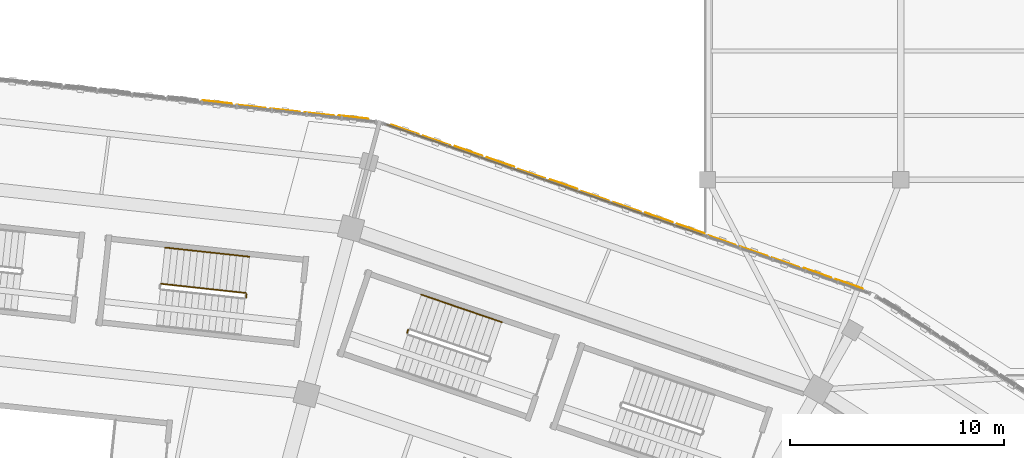
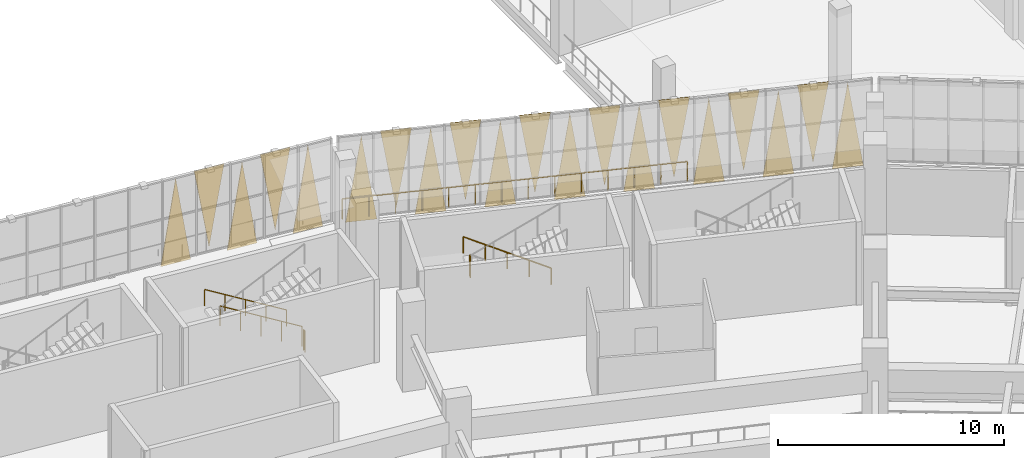
# One storey, part 175 of 179: 20 coverings, 6 railings.
"""IFC4 building model written with IfcOpenShell, lengths in metres."""

from ifc_helpers import new_model, si_unit, direction, frame, origin, origin_2d, place, context, subcontext, project, spatial, polyline, circle, outline, extrude, material, layer, layer_set, type_object, element, save


model = new_model("IFC4")

# Units and contexts
model_context = context("Model", 3, precision=1e-05, world=origin(), true_north=direction((0.0, 1.0)))
body_context = subcontext(model_context, "Body", "Model", "MODEL_VIEW")
ifc_project = project(units=[si_unit("LENGTHUNIT", "METRE"), si_unit("AREAUNIT", "SQUARE_METRE"), si_unit("VOLUMEUNIT", "CUBIC_METRE"), si_unit("PLANEANGLEUNIT", "RADIAN"), si_unit("MASSUNIT", "GRAM", prefix="KILO")], contexts=[model_context])

# Site, building, storey
site_placement = place(None, origin())
site = spatial("IfcSite", under=ifc_project, at=site_placement, CompositionType="ELEMENT")
building_placement = place(site_placement, origin())
building = spatial("IfcBuilding", under=site, at=building_placement, Name="Zevraka Park Crest Stadium", CompositionType="ELEMENT")
storey_placement = place(building_placement, frame((0.0, 0.0, 10.199951171875)))
storey = spatial("IfcBuildingStorey", under=building, at=storey_placement, Name="L02", CompositionType="ELEMENT", Elevation=10.199951171875)

# Coverings
ifc_material_1 = material(Name="Architectural golden-bronze perforated aluminium", Category="aluminium")
ifc_layer = layer(ifc_material_1, 0.034912109375)
ifc_layer_set = layer_set([ifc_layer], Name="Architectural golden-bronze perforated aluminium")
covering_type = type_object("IfcCoveringType", Name="CLD01", PredefinedType="CLADDING", material=ifc_layer_set)
covering_1_placement = place(storey_placement, frame((159.25, 161.889892578125, -0.239990234375), z_axis=(-0.329321763981, -0.944217751341, 0.000117565237), x_axis=(-0.944217757866, 0.329321766257, 0.0)))
element("IfcCovering", 1, at=covering_1_placement, inside=storey, type_object=covering_type, Name="Triangular Golden-Bronze Perforated Cladding L02-04-1", PredefinedType="CLADDING", context=body_context, shape_type="SweptSolid", body=[
    extrude(outline(polyline([(0.0, 0.0), (1.4063290467827976, 6.776263578034403e-21), (0.7034807864027698, -4.560058625263619), (0.0, 0.0)])), origin(), (0.0, 0.0, -1.0), 0.034912109375),
])
covering_2_placement = place(storey_placement, frame((156.443115234375, 162.8701171875, 4.47998046875), z_axis=(-0.329940648786, -0.944001677406, 3.6504737e-05), x_axis=(0.944001678035, -0.329940649006, 0.0)))
element("IfcCovering", 2, at=covering_2_placement, inside=storey, type_object=covering_type, Name="Triangular Golden-Bronze Perforated Cladding L02-04-2", PredefinedType="CLADDING", context=body_context, shape_type="SweptSolid", body=[
    extrude(outline(polyline([(0.0, 0.0), (1.4066509522935817, 3.3881317890172014e-21), (0.7032505175250832, -4.260009768463436), (0.0, 0.0)])), origin(), (0.0, 0.0, -1.0), 0.034912109375),
])
covering_3_placement = place(storey_placement, frame((156.2919921875, 162.922119140625, -0.239990234375), z_axis=(0.329785968147, 0.944055726711, 8.828193e-06), x_axis=(-0.944055726748, 0.32978596816, 0.0)))
element("IfcCovering", 3, at=covering_3_placement, inside=storey, type_object=covering_type, Name="Triangular Golden-Bronze Perforated Cladding L02-04-3", PredefinedType="CLADDING", context=body_context, shape_type="SweptSolid", body=[
    extrude(outline(polyline([(0.0, 0.0), (1.4065704192587192, 0.0), (0.7034004508069411, 4.560058593927699), (0.0, 0.0)])), origin(), (0.0, 0.0, -1.0), 0.034912109375),
])
covering_4_placement = place(storey_placement, frame((153.485107421875, 163.902099609375, 4.47998046875), z_axis=(0.32932176541, 0.944217755437, 7.1732807e-05), x_axis=(0.944217757866, -0.329321766257, 0.0)))
element("IfcCovering", 4, at=covering_4_placement, inside=storey, type_object=covering_type, Name="Triangular Golden-Bronze Perforated Cladding L02-04-4", PredefinedType="CLADDING", context=body_context, shape_type="SweptSolid", body=[
    extrude(outline(polyline([(0.0, 0.0), (1.4063290467827976, 0.0), (0.7029286612018679, 4.260009776585144), (0.0, 0.0)])), origin(), (0.0, 0.0, -1.0), 0.034912109375),
])
covering_5_placement = place(storey_placement, frame((153.333984375, 163.955078125, -0.239990234375), z_axis=(0.329785968147, 0.944055726711, 8.828193e-06), x_axis=(-0.944055726748, 0.32978596816, 0.0)))
element("IfcCovering", 5, at=covering_5_placement, inside=storey, type_object=covering_type, Name="Triangular Golden-Bronze Perforated Cladding L02-04-5", PredefinedType="CLADDING", context=body_context, shape_type="SweptSolid", body=[
    extrude(outline(polyline([(0.0, 0.0), (1.4065704192587192, 0.0), (0.7034004508069411, 4.560058593927699), (0.0, 0.0)])), origin(), (0.0, 0.0, -1.0), 0.034912109375),
])
covering_6_placement = place(storey_placement, frame((150.527099609375, 164.93505859375, 4.47998046875), z_axis=(-0.329940648786, -0.944001677406, 3.6504737e-05), x_axis=(0.944001678035, -0.329940649006, 0.0)))
element("IfcCovering", 6, at=covering_6_placement, inside=storey, type_object=covering_type, Name="Triangular Golden-Bronze Perforated Cladding L02-04-6", PredefinedType="CLADDING", context=body_context, shape_type="SweptSolid", body=[
    extrude(outline(polyline([(0.0, 0.0), (1.4066509522935817, 3.3881317890172014e-21), (0.7032505175250832, -4.260009768463436), (0.0, 0.0)])), origin(), (0.0, 0.0, -1.0), 0.034912109375),
])
covering_7_placement = place(storey_placement, frame((150.3759765625, 164.988037109375, -0.239990234375), z_axis=(-0.329166977788, -0.944271725837, 9.2298959e-05), x_axis=(-0.944271729859, 0.32916697919, 0.0)))
element("IfcCovering", 7, at=covering_7_placement, inside=storey, type_object=covering_type, Name="Triangular Golden-Bronze Perforated Cladding L02-04-7", PredefinedType="CLADDING", context=body_context, shape_type="SweptSolid", body=[
    extrude(outline(polyline([(0.0, 0.0), (1.4062486648553232, 0.0), (0.7034003260368679, -4.560058613173793), (0.0, 0.0)])), origin(), (0.0, 0.0, -1.0), 0.034912109375),
])
covering_8_placement = place(storey_placement, frame((147.570068359375, 165.968017578125, 4.47998046875), z_axis=(0.330157014789, 0.943926025975, 5.5430027e-05), x_axis=(0.943926027425, -0.330157015296, 0.0)))
element("IfcCovering", 8, at=covering_8_placement, inside=storey, type_object=covering_type, Name="Triangular Golden-Bronze Perforated Cladding L02-04-8", PredefinedType="CLADDING", context=body_context, shape_type="SweptSolid", body=[
    extrude(outline(polyline([(0.0, 0.0), (1.405729112581542, 0.0), (0.7031699299561738, 4.260009772169415), (0.0, 0.0)])), origin(), (0.0, 0.0, -1.0), 0.034912109375),
])
covering_9_placement = place(storey_placement, frame((147.4189453125, 166.02099609375, -0.239990234375), z_axis=(0.329166977201, 0.944271724154, 0.000109922205), x_axis=(-0.944271729859, 0.32916697919, 0.0)))
element("IfcCovering", 9, at=covering_9_placement, inside=storey, type_object=covering_type, Name="Triangular Golden-Bronze Perforated Cladding L02-04-9", PredefinedType="CLADDING", context=body_context, shape_type="SweptSolid", body=[
    extrude(outline(polyline([(0.0, 0.0), (1.4062486648553232, 6.776263578034403e-21), (0.7030788739087529, 4.560058621299347), (0.0, 0.0)])), origin(), (0.0, 0.0, -1.0), 0.034912109375),
])
covering_10_placement = place(storey_placement, frame((144.612060546875, 167.0009765625, 4.47998046875), z_axis=(-0.329785968145, -0.944055726705, 9.449996e-06), x_axis=(0.944055726748, -0.32978596816, 0.0)))
element("IfcCovering", 10, at=covering_10_placement, inside=storey, type_object=covering_type, Name="Triangular Golden-Bronze Perforated Cladding L02-04-10", PredefinedType="CLADDING", context=body_context, shape_type="SweptSolid", body=[
    extrude(outline(polyline([(0.0, 0.0), (1.4065704192587192, 8.470329472543003e-22), (0.7031699684517781, -4.260009765815215), (0.0, 0.0)])), origin(), (0.0, 0.0, -1.0), 0.034912109375),
])
covering_11_placement = place(storey_placement, frame((144.4609375, 167.052978515625, -0.239990234375), z_axis=(0.329940648962, 0.944001677908, 1.6438083e-05), x_axis=(-0.944001678035, 0.329940649006, 0.0)))
element("IfcCovering", 11, at=covering_11_placement, inside=storey, type_object=covering_type, Name="Triangular Golden-Bronze Perforated Cladding L02-04-11", PredefinedType="CLADDING", context=body_context, shape_type="SweptSolid", body=[
    extrude(outline(polyline([(0.0, 0.0), (1.4066509522935817, 8.470329472543003e-22), (0.703169965608822, 4.5600585943660885), (0.0, 0.0)])), origin(), (0.0, 0.0, -1.0), 0.034912109375),
])
covering_12_placement = place(storey_placement, frame((141.654052734375, 168.032958984375, 4.47998046875), z_axis=(-0.329166977583, -0.94427172525, 9.8799929e-05), x_axis=(0.944271729859, -0.32916697919, 0.0)))
element("IfcCovering", 12, at=covering_12_placement, inside=storey, type_object=covering_type, Name="Triangular Golden-Bronze Perforated Cladding L02-04-12", PredefinedType="CLADDING", context=body_context, shape_type="SweptSolid", body=[
    extrude(outline(polyline([(0.0, 0.0), (1.4062486648553232, -6.776263578034403e-21), (0.7034003260368679, -4.2600097864168855), (0.0, 0.0)])), origin(), (0.0, 0.0, -1.0), 0.034912109375),
])
covering_13_placement = place(storey_placement, frame((141.5029296875, 168.0859375, -0.239990234375), z_axis=(-0.329940648814, -0.944001677486, 3.410275e-05), x_axis=(-0.944001678035, 0.329940649006, 0.0)))
element("IfcCovering", 13, at=covering_13_placement, inside=storey, type_object=covering_type, Name="Triangular Golden-Bronze Perforated Cladding L02-04-13", PredefinedType="CLADDING", context=body_context, shape_type="SweptSolid", body=[
    extrude(outline(polyline([(0.0, 0.0), (1.4066509522935817, 0.0), (0.7032505175250832, -4.560058596401669), (0.0, 0.0)])), origin(), (0.0, 0.0, -1.0), 0.034912109375),
])
covering_14_placement = place(storey_placement, frame((138.696044921875, 169.06591796875, 4.47998046875), z_axis=(0.329785968145, 0.944055726705, 9.449996e-06), x_axis=(0.944055726748, -0.32978596816, 0.0)))
element("IfcCovering", 14, at=covering_14_placement, inside=storey, type_object=covering_type, Name="Triangular Golden-Bronze Perforated Cladding L02-04-14", PredefinedType="CLADDING", context=body_context, shape_type="SweptSolid", body=[
    extrude(outline(polyline([(0.0, 0.0), (1.4065704192587192, 8.470329472543003e-22), (0.7034004508069411, 4.260009765815215), (0.0, 0.0)])), origin(), (0.0, 0.0, -1.0), 0.034912109375),
])
covering_15_placement = place(storey_placement, frame((138.544921875, 169.118896484375, -0.239990234375), z_axis=(0.329321765518, 0.944217755746, 6.7012836e-05), x_axis=(-0.944217757866, 0.329321766257, 0.0)))
element("IfcCovering", 15, at=covering_15_placement, inside=storey, type_object=covering_type, Name="Triangular Golden-Bronze Perforated Cladding L02-04-15", PredefinedType="CLADDING", context=body_context, shape_type="SweptSolid", body=[
    extrude(outline(polyline([(0.0, 0.0), (1.4063290467827976, 3.3881317890172014e-21), (0.7029286612018679, 4.560058603988973), (0.0, 0.0)])), origin(), (0.0, 0.0, -1.0), 0.034912109375),
])
covering_16_placement = place(storey_placement, frame((136.18994140625, 169.81494140625, -0.239990234375), z_axis=(-0.110711073396, -0.993852626665, 0.000121237977), x_axis=(-0.993852633969, 0.110711074209, 0.0)))
element("IfcCovering", 16, at=covering_16_placement, inside=storey, type_object=covering_type, Name="Triangular Golden-Bronze Perforated Cladding L02-05-1", PredefinedType="CLADDING", context=body_context, shape_type="SweptSolid", body=[
    extrude(outline(polyline([(0.0, 0.0), (1.4377937224135535, 0.0), (0.7183443198404428, -4.560058627263347), (0.0, 0.0)])), origin(), (0.0, 0.0, -1.0), 0.034912109375),
])
covering_17_placement = place(storey_placement, frame((133.173095703125, 170.14990234375, 4.47998046875), z_axis=(0.109872351224, 0.993945705899, 1.2739525e-05), x_axis=(0.993945705979, -0.109872351233, 0.0)))
element("IfcCovering", 17, at=covering_17_placement, inside=storey, type_object=covering_type, Name="Triangular Golden-Bronze Perforated Cladding L02-05-2", PredefinedType="CLADDING", context=body_context, shape_type="SweptSolid", body=[
    extrude(outline(polyline([(0.0, 0.0), (1.4376590889512042, -4.235164736271502e-22), (0.7182094760086675, 4.260009765970691), (0.0, 0.0)])), origin(), (0.0, 0.0, -1.0), 0.034912109375),
])
covering_18_placement = place(storey_placement, frame((133.013916015625, 170.16796875, -0.239990234375), z_axis=(0.110543348043, 0.993871299685, 8.8693756e-05), x_axis=(-0.993871303594, 0.110543348478, 0.0)))
element("IfcCovering", 18, at=covering_18_placement, inside=storey, type_object=covering_type, Name="Triangular Golden-Bronze Perforated Cladding L02-05-3", PredefinedType="CLADDING", context=body_context, shape_type="SweptSolid", body=[
    extrude(outline(polyline([(0.0, 0.0), (1.4377667138168417, 1.6940658945086007e-21), (0.719206841266984, 4.560058611686038), (0.0, 0.0)])), origin(), (0.0, 0.0, -1.0), 0.034912109375),
])
covering_19_placement = place(storey_placement, frame((129.9970703125, 170.5029296875, 4.47998046875), z_axis=(0.110543347592, 0.993871295634, 0.000126558535), x_axis=(0.993871303594, -0.110543348478, 0.0)))
element("IfcCovering", 19, at=covering_19_placement, inside=storey, type_object=covering_type, Name="Triangular Golden-Bronze Perforated Cladding L02-05-4", PredefinedType="CLADDING", context=body_context, shape_type="SweptSolid", body=[
    extrude(outline(polyline([(0.0, 0.0), (1.4377667138168417, 3.3881317890172014e-21), (0.7182092756998811, 4.260009799741423), (0.0, 0.0)])), origin(), (0.0, 0.0, -1.0), 0.034912109375),
])
covering_20_placement = place(storey_placement, frame((129.837890625, 170.52001953125, -0.239990234375), z_axis=(-0.110468774198, -0.993879585984, 0.000135985296), x_axis=(-0.993879595173, 0.110468775219, 0.0)))
element("IfcCovering", 20, at=covering_20_placement, inside=storey, type_object=covering_type, Name="Triangular Golden-Bronze Perforated Cladding L02-05-5", PredefinedType="CLADDING", context=body_context, shape_type="SweptSolid", body=[
    extrude(outline(polyline([(0.0, 0.0), (1.4387372953117465, 0.0), (0.7193147492526656, -4.560058635912304), (0.0, 0.0)])), origin(), (0.0, 0.0, -1.0), 0.034912109375),
])

# Railings
ifc_material_2 = material(Name="Galvanised and bronze-finished steel balustrade", Category="steel")
railing_type_1 = type_object("IfcRailingType", Name="GR01", PredefinedType="GUARDRAIL", material=ifc_material_2)
railing_1_placement = place(storey_placement, frame((137.049072265625, 169.56689453125, 0.0)))
element("IfcRailing", 21, at=railing_1_placement, inside=storey, type_object=railing_type_1, Name="Deck Edge Protection Guardrail GR01 L02-9", PredefinedType="GUARDRAIL", context=body_context, shape_type="SweptSolid", body=[
    extrude(circle(Radius=0.02392578125, at=origin_2d()), frame((0.0, 0.0, 1.076171875), z_axis=(0.944112779049, -0.329622603041, 0.0), x_axis=(0.329622603041, 0.944112779049, 0.0)), (0.0, 0.0, 1.0), 15.54150390625),
    extrude(circle(Radius=0.02099609375, at=origin_2d()), origin(), (0.0, 0.0, 1.0), 1.052001953125),
    extrude(circle(Radius=0.02099609375, at=origin_2d()), frame((1.128662109375, -0.39404296875, 0.0)), (0.0, 0.0, 1.0), 1.052001953125),
    extrude(circle(Radius=0.02099609375, at=origin_2d()), frame((2.25732421875, -0.7880859375, 0.0)), (0.0, 0.0, 1.0), 1.052001953125),
    extrude(circle(Radius=0.02099609375, at=origin_2d()), frame((3.385986328125, -1.18212890625, 0.0)), (0.0, 0.0, 1.0), 1.052001953125),
    extrude(circle(Radius=0.02099609375, at=origin_2d()), frame((4.5146484375, -1.576171875, 0.0)), (0.0, 0.0, 1.0), 1.052001953125),
    extrude(circle(Radius=0.02099609375, at=origin_2d()), frame((5.643310546875, -1.97021484375, 0.0)), (0.0, 0.0, 1.0), 1.052001953125),
    extrude(circle(Radius=0.02099609375, at=origin_2d()), frame((6.77197265625, -2.3642578125, 0.0)), (0.0, 0.0, 1.0), 1.052001953125),
    extrude(circle(Radius=0.02099609375, at=origin_2d()), frame((7.90087890625, -2.758544921875, 0.0)), (0.0, 0.0, 1.0), 1.052001953125),
    extrude(circle(Radius=0.02099609375, at=origin_2d()), frame((9.029541015625, -3.152587890625, 0.0)), (0.0, 0.0, 1.0), 1.052001953125),
    extrude(circle(Radius=0.02099609375, at=origin_2d()), frame((10.158203125, -3.546630859375, 0.0)), (0.0, 0.0, 1.0), 1.052001953125),
    extrude(circle(Radius=0.02099609375, at=origin_2d()), frame((11.286865234375, -3.940673828125, 0.0)), (0.0, 0.0, 1.0), 1.052001953125),
    extrude(circle(Radius=0.02099609375, at=origin_2d()), frame((12.41552734375, -4.334716796875, 0.0)), (0.0, 0.0, 1.0), 1.052001953125),
    extrude(circle(Radius=0.02099609375, at=origin_2d()), frame((13.544189453125, -4.728759765625, 0.0)), (0.0, 0.0, 1.0), 1.052001953125),
    extrude(circle(Radius=0.02099609375, at=origin_2d()), frame((14.6728515625, -5.122802734375, 0.0)), (0.0, 0.0, 1.0), 1.052001953125),
])
ifc_material_3 = material(Name="Powder-coated tubular steel stairwell guard", Category="steel")
railing_type_2 = type_object("IfcRailingType", Name="GR03", PredefinedType="GUARDRAIL", material=ifc_material_3)
railing_2_placement = place(storey_placement, frame((130.453369140625, 161.721923828125, 0.17138671875)))
element("IfcRailing", 22, at=railing_2_placement, inside=storey, type_object=railing_type_2, Name="L02 ST06 stair guard 1", PredefinedType="GUARDRAIL", context=body_context, shape_type="SweptSolid", body=[
    extrude(circle(Radius=0.02392578125, at=origin_2d()), frame((0.0, 0.0, 1.076171875), z_axis=(-0.866614101159, 0.094304532128, 0.489986382354), x_axis=(-0.108180884773, -0.994131226836, 0.0)), (0.0, 0.0, 1.0), 4.548583984375),
    extrude(circle(Radius=0.02099609375, at=origin_2d()), origin(), (0.0, 0.0, 1.0), 1.052001953125),
    extrude(circle(Radius=0.02099609375, at=origin_2d()), frame((-0.9853515625, 0.107177734375, 0.55712890625)), (0.0, 0.0, 1.0), 1.052001953125),
    extrude(circle(Radius=0.02099609375, at=origin_2d()), frame((-1.970947265625, 0.21435546875, 1.1142578125)), (0.0, 0.0, 1.0), 1.052001953125),
    extrude(circle(Radius=0.02099609375, at=origin_2d()), frame((-2.95654296875, 0.32177734375, 1.671630859375)), (0.0, 0.0, 1.0), 1.052001953125),
    extrude(circle(Radius=0.02099609375, at=origin_2d()), frame((-3.94189453125, 0.428955078125, 2.228759765625)), (0.0, 0.0, 1.0), 1.052001953125),
])
railing_3_placement = place(storey_placement, frame((130.49755859375, 161.666748046875, 0.0)))
element("IfcRailing", 23, at=railing_3_placement, inside=storey, type_object=railing_type_2, Name="L02 ST06 stair guard 4", PredefinedType="GUARDRAIL", context=body_context, shape_type="SweptSolid", body=[
    extrude(circle(Radius=0.02392578125, at=origin_2d()), frame((0.0, 0.0, 1.076171875), z_axis=(-0.108255734054, -0.994123078921, 0.0), x_axis=(0.994123078921, -0.108255734054, 0.0)), (0.0, 0.0, 1.0), 0.16015625),
    extrude(circle(Radius=0.02099609375, at=origin_2d()), origin(), (0.0, 0.0, 1.0), 1.052001953125),
    extrude(circle(Radius=0.02099609375, at=origin_2d()), frame((-0.017333984375, -0.1591796875, 0.0)), (0.0, 0.0, 1.0), 1.052001953125),
])
railing_4_placement = place(storey_placement, frame((138.033203125, 160.0048828125, 2.400146484375)))
element("IfcRailing", 24, at=railing_4_placement, inside=storey, type_object=railing_type_2, Name="L02 ST25 stair guard 2", PredefinedType="GUARDRAIL", context=body_context, shape_type="SweptSolid", body=[
    extrude(circle(Radius=0.02392578125, at=origin_2d()), frame((0.0, 0.0, 1.076171875), z_axis=(-0.32354385955, -0.946213174156, 0.0), x_axis=(0.946213174156, -0.32354385955, 0.0)), (0.0, 0.0, 1.0), 0.159912109375),
    extrude(circle(Radius=0.02099609375, at=origin_2d()), origin(), (0.0, 0.0, 1.0), 1.052001953125),
    extrude(circle(Radius=0.02099609375, at=origin_2d()), frame((-0.0517578125, -0.1513671875, 0.0)), (0.0, 0.0, 1.0), 1.052001953125),
])
ifc_material_4 = material(Name="Brushed stainless steel continuous handrail", Category="steel")
railing_type_3 = type_object("IfcRailingType", Name="HR01", PredefinedType="HANDRAIL", material=ifc_material_4)
railing_5_placement = place(storey_placement, frame((130.63720703125, 163.411865234375, 0.17138671875)))
element("IfcRailing", 25, at=railing_5_placement, inside=storey, type_object=railing_type_3, Name="L02 ST06 stair handrail 1", PredefinedType="HANDRAIL", context=body_context, shape_type="SweptSolid", body=[
    extrude(circle(Radius=0.02392578125, at=origin_2d()), frame((0.0, 0.0, 0.8759765625), z_axis=(-0.866600736571, 0.094308918808, 0.490009174615), x_axis=(-0.10818750693, -0.994130506193, 0.0)), (0.0, 0.0, 1.0), 4.54833984375),
    extrude(circle(Radius=0.02099609375, at=origin_2d()), origin(), (0.0, 0.0, 1.0), 0.851806640625),
    extrude(circle(Radius=0.02099609375, at=origin_2d()), frame((-0.9853515625, 0.107177734375, 0.55712890625)), (0.0, 0.0, 1.0), 0.851806640625),
    extrude(circle(Radius=0.02099609375, at=origin_2d()), frame((-1.970703125, 0.21435546875, 1.1142578125)), (0.0, 0.0, 1.0), 0.851806640625),
    extrude(circle(Radius=0.02099609375, at=origin_2d()), frame((-2.956298828125, 0.32177734375, 1.671630859375)), (0.0, 0.0, 1.0), 0.851806640625),
    extrude(circle(Radius=0.02099609375, at=origin_2d()), frame((-3.941650390625, 0.428955078125, 2.228759765625)), (0.0, 0.0, 1.0), 0.851806640625),
])
railing_6_placement = place(storey_placement, frame((142.398681640625, 160.359619140625, 0.17138671875)))
element("IfcRailing", 26, at=railing_6_placement, inside=storey, type_object=railing_type_3, Name="L02 ST25 stair handrail 1", PredefinedType="HANDRAIL", context=body_context, shape_type="SweptSolid", body=[
    extrude(circle(Radius=0.02392578125, at=origin_2d()), frame((0.0, 0.0, 0.8759765625), z_axis=(-0.824705104737, 0.282433990311, 0.489992378857), x_axis=(-0.32399372979, -0.946059228091, 0.0)), (0.0, 0.0, 1.0), 4.548583984375),
    extrude(circle(Radius=0.02099609375, at=origin_2d()), origin(), (0.0, 0.0, 1.0), 0.851806640625),
    extrude(circle(Radius=0.02099609375, at=origin_2d()), frame((-0.937744140625, 0.3212890625, 0.55712890625)), (0.0, 0.0, 1.0), 0.851806640625),
    extrude(circle(Radius=0.02099609375, at=origin_2d()), frame((-1.87548828125, 0.642333984375, 1.1142578125)), (0.0, 0.0, 1.0), 0.851806640625),
    extrude(circle(Radius=0.02099609375, at=origin_2d()), frame((-2.8134765625, 0.96337890625, 1.671630859375)), (0.0, 0.0, 1.0), 0.851806640625),
    extrude(circle(Radius=0.02099609375, at=origin_2d()), frame((-3.751220703125, 1.28466796875, 2.228759765625)), (0.0, 0.0, 1.0), 0.851806640625),
])

save(model, "model.ifc")
